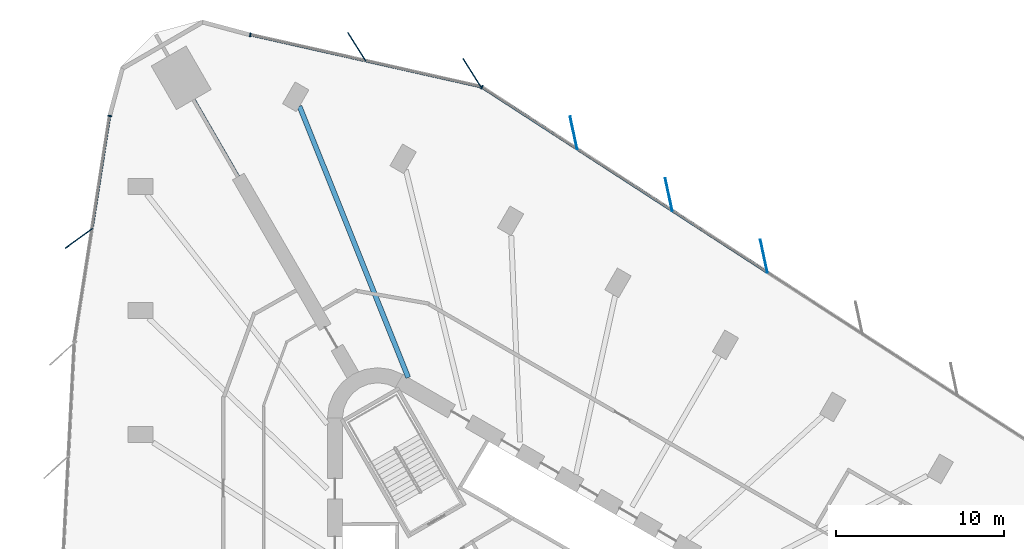
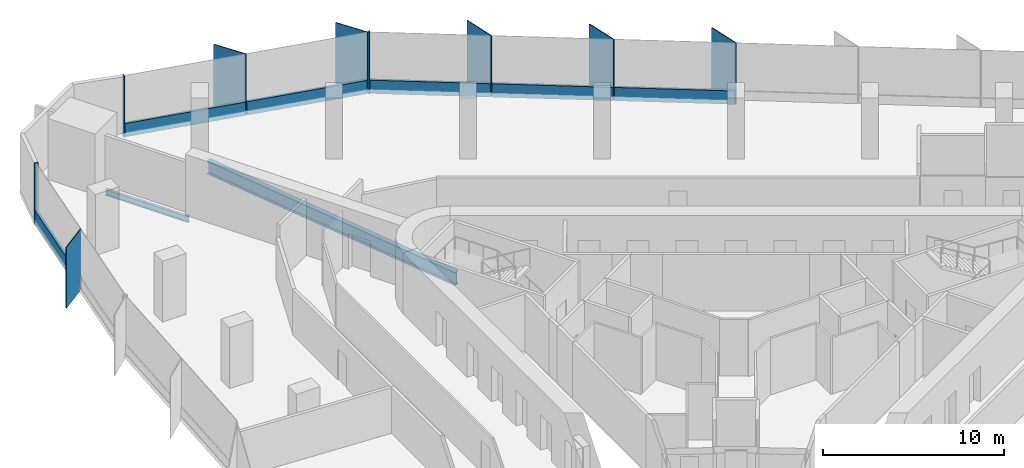
# One storey, part 7 of 14: 15 members, 2 beams, 3 elements without a shape of their own.
"""IFC4 building model written with IfcOpenShell, lengths in metres."""

from ifc_helpers import new_model, si_unit, direction, frame, origin, origin_2d, place, context, subcontext, project, spatial, rectangle, i_section, extrude, material, material_profile, profile_set, type_object, element, aggregate, save


model = new_model("IFC4")

# Units and contexts
model_context = context("Model", 3, precision=1e-05, world=origin(), true_north=direction((0.0, 1.0)))
body_context = subcontext(model_context, "Body", "Model", "MODEL_VIEW")
ifc_project = project(units=[si_unit("LENGTHUNIT", "METRE"), si_unit("AREAUNIT", "SQUARE_METRE"), si_unit("VOLUMEUNIT", "CUBIC_METRE"), si_unit("PLANEANGLEUNIT", "RADIAN"), si_unit("MASSUNIT", "GRAM", prefix="KILO")], contexts=[model_context])

# Site, building, storey
site_placement = place(None, origin())
site = spatial("IfcSite", under=ifc_project, at=site_placement, CompositionType="ELEMENT")
building_placement = place(site_placement, origin())
building = spatial("IfcBuilding", under=site, at=building_placement, Name="Tanit Gate Tower", CompositionType="ELEMENT")
storey_placement = place(building_placement, frame((0.0, 0.0, 74.199951171875)))
storey = spatial("IfcBuildingStorey", under=building, at=storey_placement, Name="L14", CompositionType="ELEMENT", Elevation=74.199951171875)

# Curtain wall, members
ifc_material_1 = material(Name="Aluminium bronze anodised and glass", Category="aluminium")
curtain_wall_type = type_object("IfcCurtainWallType", Name="Curtain wall typical low", PredefinedType="NOTDEFINED", material=ifc_material_1)
curtain_wall_1_placement = place(storey_placement, origin())
curtain_wall_1 = element("IfcCurtainWall", 1, at=curtain_wall_1_placement, inside=storey, type_object=curtain_wall_type, Name="Curtain wall L14 NE2", PredefinedType="NOTDEFINED")
ifc_material_2 = material(Name="Aluminium bronze anodised", Category="aluminium")
ifc_material_profile_1 = material_profile(ifc_material_2, rectangle(XDim=2.0, YDim=0.055908203125, at=origin_2d()), Name="56x2000 bronze fin mullion")
ifc_profile_set_1 = profile_set([ifc_material_profile_1], Name="Aluminium bronze anodised")
member_type_1 = type_object("IfcMemberType", Name="FIN MULLION 56x2000 bronze", PredefinedType="MULLION", material=ifc_profile_set_1)
member_1_placement = place(storey_placement, frame((13.91162109375, 25.4013671875, -0.300048828125), z_axis=(0.0, 0.0, 1.0), x_axis=(0.208373118697, -0.978049407445, 0.0)))
member_1 = element("IfcMember", 2, at=member_1_placement, type_object=member_type_1, Name="Fin mullion L14 NE2.4", PredefinedType="MULLION", context=body_context, shape_type="SweptSolid", body=[
    extrude(rectangle(XDim=2.0, YDim=0.055908203125, at=origin_2d()), origin(), (0.0, 0.0, 1.0), 4.10009765625),
])
member_2_placement = place(storey_placement, frame((8.2431640625, 29.07861328125, -0.300048828125), z_axis=(0.0, 0.0, 1.0), x_axis=(0.208373118697, -0.978049407445, 0.0)))
member_2 = element("IfcMember", 3, at=member_2_placement, type_object=member_type_1, Name="Fin mullion L14 NE2.5", PredefinedType="MULLION", context=body_context, shape_type="SweptSolid", body=[
    extrude(rectangle(XDim=2.0, YDim=0.055908203125, at=origin_2d()), origin(), (0.0, 0.0, 1.0), 4.10009765625),
])
member_3_placement = place(storey_placement, frame((2.57470703125, 32.755859375, -0.300048828125), z_axis=(0.0, 0.0, 1.0), x_axis=(0.208373118697, -0.978049407445, 0.0)))
member_3 = element("IfcMember", 4, at=member_3_placement, type_object=member_type_1, Name="Fin mullion L14 NE2.6", PredefinedType="MULLION", context=body_context, shape_type="SweptSolid", body=[
    extrude(rectangle(XDim=2.0, YDim=0.055908203125, at=origin_2d()), origin(), (0.0, 0.0, 1.0), 4.10009765625),
])

curtain_wall_2_placement = place(storey_placement, origin())
curtain_wall_2 = element("IfcCurtainWall", 5, at=curtain_wall_2_placement, inside=storey, type_object=curtain_wall_type, Name="Curtain wall L14 NE3", PredefinedType="NOTDEFINED")
member_4_placement = place(storey_placement, frame((-3.48486328125, 36.333740234375, -0.300048828125), z_axis=(0.0, 0.0, 1.0), x_axis=(0.534475003712, -0.845184281921, 0.0)))
member_4 = element("IfcMember", 6, at=member_4_placement, type_object=member_type_1, Name="Fin mullion L14 NE3.1", PredefinedType="MULLION", context=body_context, shape_type="SweptSolid", body=[
    extrude(rectangle(XDim=2.0, YDim=0.055908203125, at=origin_2d()), origin(), (0.0, 0.0, 1.0), 4.10009765625),
])
member_5_placement = place(storey_placement, frame((-10.349853515625, 37.8798828125, -0.300048828125), z_axis=(0.0, 0.0, 1.0), x_axis=(0.534475003712, -0.845184281921, 0.0)))
member_5 = element("IfcMember", 7, at=member_5_placement, type_object=member_type_1, Name="Fin mullion L14 NE3.2", PredefinedType="MULLION", context=body_context, shape_type="SweptSolid", body=[
    extrude(rectangle(XDim=2.0, YDim=0.055908203125, at=origin_2d()), origin(), (0.0, 0.0, 1.0), 4.10009765625),
])

# Curtain wall, member
curtain_wall_3_placement = place(storey_placement, origin())
curtain_wall_3 = element("IfcCurtainWall", 8, at=curtain_wall_3_placement, inside=storey, type_object=curtain_wall_type, Name="Curtain wall L14 W1", PredefinedType="NOTDEFINED")
member_6_placement = place(storey_placement, frame((-26.91064453125, 26.467041015625, -0.300048828125), z_axis=(0.0, 0.0, 1.0), x_axis=(0.807543608226, 0.589807867711, 0.0)))
member_6 = element("IfcMember", 9, at=member_6_placement, type_object=member_type_1, Name="Fin mullion L14 W1.2", PredefinedType="MULLION", context=body_context, shape_type="SweptSolid", body=[
    extrude(rectangle(XDim=2.0, YDim=0.055908203125, at=origin_2d()), origin(), (0.0, 0.0, 1.0), 4.10009765625),
])

# Member
ifc_material_3 = material(Name="Aluminium bronze anodised", Category="aluminium")
ifc_material_profile_2 = material_profile(ifc_material_3, rectangle(XDim=0.239990234375, YDim=0.080078125, at=origin_2d()), Name="80x240 bronze mullion")
ifc_profile_set_2 = profile_set([ifc_material_profile_2], Name="Aluminium bronze anodised")
member_type_2 = type_object("IfcMemberType", Name="Mullion 80x240 typical low", PredefinedType="MULLION", material=ifc_profile_set_2)
member_7_placement = place(storey_placement, frame((-2.889892578125, 35.477294921875, -0.300048828125), z_axis=(0.0, 0.0, 1.0), x_axis=(-0.544243323092, -0.838927413588, 0.0)))
member_7 = element("IfcMember", 10, at=member_7_placement, type_object=member_type_2, Name="Mullion L14 NE2.7", PredefinedType="MULLION", context=body_context, shape_type="SweptSolid", body=[
    extrude(rectangle(XDim=0.239990234375, YDim=0.080078125, at=origin_2d()), origin(), (0.0, 0.0, 1.0), 4.10009765625),
])

member_8_placement = place(storey_placement, frame((-16.6923828125, 38.599853515625, -0.300048828125), z_axis=(0.0, 0.0, 1.0), x_axis=(-0.219704637599, -0.975566436598, 0.0)))
member_8 = element("IfcMember", 11, at=member_8_placement, type_object=member_type_2, Name="Mullion L14 NE3.3", PredefinedType="MULLION", context=body_context, shape_type="SweptSolid", body=[
    extrude(rectangle(XDim=0.239990234375, YDim=0.080078125, at=origin_2d()), origin(), (0.0, 0.0, 1.0), 4.10009765625),
])

member_9_placement = place(storey_placement, frame((-25.07421875, 33.76318359375, -0.300048828125), z_axis=(0.0, 0.0, 1.0), x_axis=(0.988076704336, -0.153962418624, 0.0)))
member_9 = element("IfcMember", 12, at=member_9_placement, type_object=member_type_2, Name="Mullion L14 W1.1", PredefinedType="MULLION", context=body_context, shape_type="SweptSolid", body=[
    extrude(rectangle(XDim=0.239990234375, YDim=0.080078125, at=origin_2d()), origin(), (0.0, 0.0, 1.0), 4.10009765625),
])

# Beams
ifc_material_4 = material(Name="Steel S355", Category="steel")
ifc_material_profile_3 = material_profile(ifc_material_4, i_section(OverallWidth=0.300048828125, OverallDepth=0.889892578125, WebThickness=0.01611328125, FlangeThickness=0.030029296875, FilletRadius=0.030029296875, at=origin_2d()), Name="HEA 900")
ifc_profile_set_3 = profile_set([ifc_material_profile_3], Name="Steel S355")
beam_type_1 = type_object("IfcBeamType", Name="RADIAL GIRDER HEA 900 S355", PredefinedType="BEAM", material=ifc_profile_set_3)
beam_1_placement = place(storey_placement, frame((-13.76220703125, 34.3447265625, -0.744873046875), z_axis=(0.371958649454, -0.928249300078, 0.0), x_axis=(0.928249300078, 0.371958649454, 0.0)))
element("IfcBeam", 13, at=beam_1_placement, inside=storey, type_object=beam_type_1, Name="RADIAL GIRDER", PredefinedType="BEAM", context=body_context, shape_type="SweptSolid", body=[
    extrude(i_section(OverallWidth=0.300048828125, OverallDepth=0.889892578125, WebThickness=0.01611328125, FlangeThickness=0.030029296875, FilletRadius=0.030029296875, at=origin_2d()), origin(), (0.0, 0.0, 1.0), 17.4140625),
])
ifc_material_5 = material(Name="Steel S355", Category="steel")
ifc_material_profile_4 = material_profile(ifc_material_5, i_section(OverallWidth=0.179931640625, OverallDepth=0.39990234375, WebThickness=0.008544921875, FlangeThickness=0.013427734375, FilletRadius=0.02099609375, at=origin_2d()), Name="IPE 400")
ifc_profile_set_4 = profile_set([ifc_material_profile_4], Name="Steel S355")
beam_type_2 = type_object("IfcBeamType", Name="RADIAL GIRDER IPE 400 S355", PredefinedType="BEAM", material=ifc_profile_set_4)
beam_2_placement = place(storey_placement, frame((-20.05810546875, 34.741455078125, -0.5), z_axis=(0.499991120112, -0.86603053053, 0.0), x_axis=(0.86603053053, 0.499991120112, 0.0)))
element("IfcBeam", 14, at=beam_2_placement, inside=storey, type_object=beam_type_2, Name="RADIAL GIRDER", PredefinedType="BEAM", context=body_context, shape_type="SweptSolid", body=[
    extrude(i_section(OverallWidth=0.179931640625, OverallDepth=0.39990234375, WebThickness=0.008544921875, FlangeThickness=0.013427734375, FilletRadius=0.02099609375, at=origin_2d()), origin(), (0.0, 0.0, 1.0), 5.29638671875),
])

# Member
ifc_material_6 = material(Name="Aluminium bronze anodised", Category="aluminium")
ifc_material_profile_5 = material_profile(ifc_material_6, rectangle(XDim=0.159912109375, YDim=0.89990234375, at=origin_2d()), Name="160x900 bronze transom")
ifc_profile_set_5 = profile_set([ifc_material_profile_5], Name="Aluminium bronze anodised")
member_type_3 = type_object("IfcMemberType", Name="Transom 160x900 typical low", PredefinedType="USERDEFINED", material=ifc_profile_set_5)
member_10_placement = place(storey_placement, frame((14.08154296875, 24.46728515625, 0.150146484375), z_axis=(-0.838932859074, 0.544234929021, 0.0), x_axis=(-0.544234929021, -0.838932859074, 0.0)))
member_10 = element("IfcMember", 15, at=member_10_placement, type_object=member_type_3, Name="Transom L14 NE2.4", ObjectType="TRANSOM", PredefinedType="USERDEFINED", context=body_context, shape_type="SweptSolid", body=[
    extrude(rectangle(XDim=0.159912109375, YDim=0.89990234375, at=origin_2d()), origin(), (0.0, 0.0, 1.0), 6.676513671875),
])

member_11_placement = place(storey_placement, frame((8.413330078125, 28.14453125, 0.150146484375), z_axis=(-0.83894368958, 0.544218233536, 0.0), x_axis=(-0.544218233536, -0.83894368958, 0.0)))
member_11 = element("IfcMember", 16, at=member_11_placement, type_object=member_type_3, Name="Transom L14 NE2.5", ObjectType="TRANSOM", PredefinedType="USERDEFINED", context=body_context, shape_type="SweptSolid", body=[
    extrude(rectangle(XDim=0.159912109375, YDim=0.89990234375, at=origin_2d()), origin(), (0.0, 0.0, 1.0), 6.676513671875),
])

member_12_placement = place(storey_placement, frame((2.744873046875, 31.82177734375, 0.150146484375), z_axis=(-0.838926994438, 0.544243969194, 0.0), x_axis=(-0.544243969194, -0.838926994438, 0.0)))
member_12 = element("IfcMember", 17, at=member_12_placement, type_object=member_type_3, Name="Transom L14 NE2.6", ObjectType="TRANSOM", PredefinedType="USERDEFINED", context=body_context, shape_type="SweptSolid", body=[
    extrude(rectangle(XDim=0.159912109375, YDim=0.89990234375, at=origin_2d()), origin(), (0.0, 0.0, 1.0), 6.6767578125),
])

aggregate(curtain_wall_1, [member_1, member_2, member_3, member_7, member_10, member_11, member_12])

member_13_placement = place(storey_placement, frame((-3.00146484375, 35.5166015625, 0.150146484375), z_axis=(-0.975562949625, 0.219720120422, 0.0), x_axis=(-0.219720120422, -0.975562949625, 0.0)))
member_13 = element("IfcMember", 18, at=member_13_placement, type_object=member_type_3, Name="Transom L14 NE3.1", ObjectType="TRANSOM", PredefinedType="USERDEFINED", context=body_context, shape_type="SweptSolid", body=[
    extrude(rectangle(XDim=0.159912109375, YDim=0.89990234375, at=origin_2d()), origin(), (0.0, 0.0, 1.0), 6.956787109375),
])

member_14_placement = place(storey_placement, frame((-9.866455078125, 37.062744140625, 0.150146484375), z_axis=(-0.975570471422, 0.219686720785, 0.0), x_axis=(-0.219686720785, -0.975570471422, 0.0)))
member_14 = element("IfcMember", 19, at=member_14_placement, type_object=member_type_3, Name="Transom L14 NE3.2", ObjectType="TRANSOM", PredefinedType="USERDEFINED", context=body_context, shape_type="SweptSolid", body=[
    extrude(rectangle(XDim=0.159912109375, YDim=0.89990234375, at=origin_2d()), origin(), (0.0, 0.0, 1.0), 6.956787109375),
])

aggregate(curtain_wall_2, [member_4, member_5, member_8, member_13, member_14])

member_15_placement = place(storey_placement, frame((-25.080322265625, 33.7236328125, 0.150146484375), z_axis=(-0.153986803013, -0.988072904445, 0.0), x_axis=(0.988072904445, -0.153986803013, 0.0)))
member_15 = element("IfcMember", 20, at=member_15_placement, type_object=member_type_3, Name="Transom L14 W1.1", ObjectType="TRANSOM", PredefinedType="USERDEFINED", context=body_context, shape_type="SweptSolid", body=[
    extrude(rectangle(XDim=0.159912109375, YDim=0.89990234375, at=origin_2d()), origin(), (0.0, 0.0, 1.0), 6.720703125),
])

aggregate(curtain_wall_3, [member_9, member_6, member_15])

save(model, "model.ifc")
